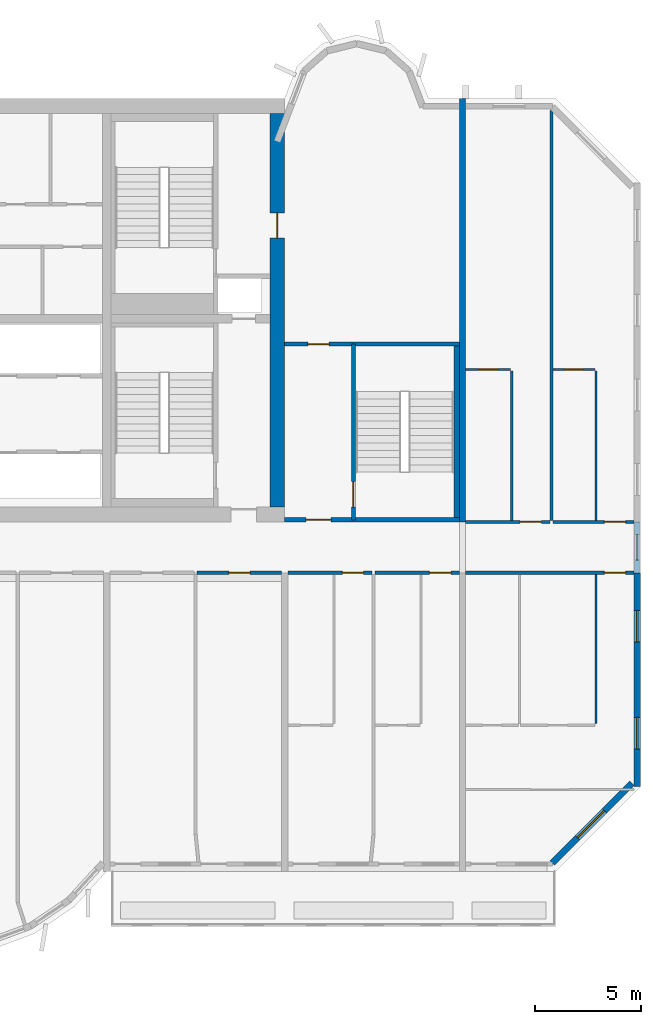
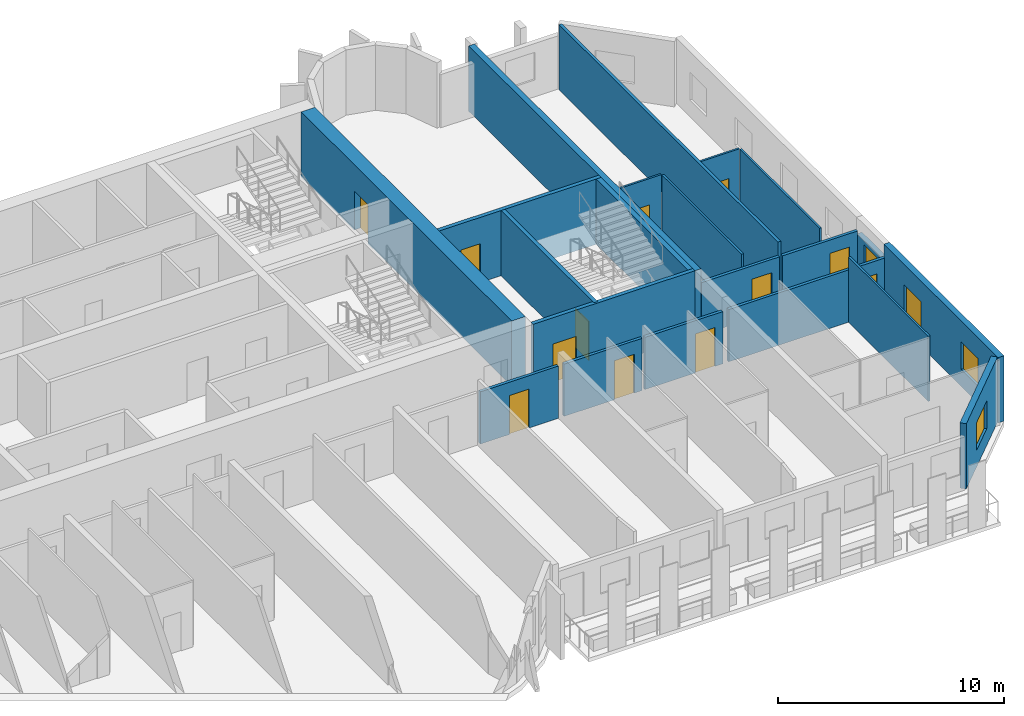
# One storey, part 9 of 13: 21 walls, 12 doors, 4 windows, 16 openings.
"""IFC4 building model written with IfcOpenShell, lengths in metres."""

import ifcopenshell
import ifcopenshell.guid

model = None  # the IFC model being written
_history = None  # IfcOwnerHistory: only IFC2X3 demands one
_inside = {}  # id of a spatial element -> (the spatial element, [elements in it])
_under = {}  # id of a project, library or spatial element -> (it, [spatial elements below it])
_declared = {}  # id of a project -> (the project, [libraries it declares])
_typed = {}  # id of a type object -> (the type object, [elements of that type])
_made_of = {}  # id of a material, layer set ... -> (it, [elements and type objects made of it])


def new_model(schema):
    """Start an empty IFC model of exactly this schema.

    Asked for "IFC4X3", IfcOpenShell would pick the latest addendum, in which some entities
    have other attributes; the version numbers below select the first issue.
    IFC2X3 requires an IfcOwnerHistory on every rooted entity: one is made here for all.
    """
    global model, _history
    if schema == "IFC4X3":
        model = ifcopenshell.file(schema_version=(4, 3, 0, 0))
    else:
        model = ifcopenshell.file(schema=schema)
    _inside.clear()
    _under.clear()
    _declared.clear()
    _typed.clear()
    _made_of.clear()
    _history = None
    if model.schema == "IFC2X3":
        org = make("IfcOrganization", Name="unknown")
        user = make(
            "IfcPersonAndOrganization",
            ThePerson=make("IfcPerson", FamilyName="unknown"),
            TheOrganization=org,
        )
        app = make(
            "IfcApplication",
            ApplicationDeveloper=org,
            Version="unknown",
            ApplicationFullName="unknown",
            ApplicationIdentifier="unknown",
        )
        _history = make(
            "IfcOwnerHistory",
            OwningUser=user,
            OwningApplication=app,
            ChangeAction="ADDED",
            CreationDate=0,
        )
    return model


def make(cls, **values):
    """One entity of the class cls with the attributes given. An attribute that is None is left unset."""
    return model.create_entity(
        cls, **{name: value for name, value in values.items() if value is not None}
    )


def rooted(cls, **values):
    """An entity with a GlobalId (a new one), such as an element, a storey or a relation."""
    return make(cls, GlobalId=ifcopenshell.guid.new(), OwnerHistory=_history, **values)


def si_unit(unit_type, name, prefix=None):
    """IfcSIUnit, for example si_unit("LENGTHUNIT", "METRE", prefix="MILLI")."""
    return make("IfcSIUnit", UnitType=unit_type, Prefix=prefix, Name=name)


def assignment(units):
    """IfcUnitAssignment: the units of a project."""
    return None if units is None else make("IfcUnitAssignment", Units=units)


def point(xyz):
    """IfcCartesianPoint."""
    return None if xyz is None else make("IfcCartesianPoint", Coordinates=xyz)


def direction(xyz):
    """IfcDirection."""
    return None if xyz is None else make("IfcDirection", DirectionRatios=xyz)


def frame(location, z_axis=None, x_axis=None):
    """IfcAxis2Placement3D, a coordinate frame: its origin and axes. An axis left out is left unset."""
    return make(
        "IfcAxis2Placement3D",
        Location=point(location),
        Axis=direction(z_axis),
        RefDirection=direction(x_axis),
    )


def frame_2d(location, x_axis=None):
    """IfcAxis2Placement2D, a coordinate frame in the plane: its origin and x axis."""
    return make(
        "IfcAxis2Placement2D", Location=point(location), RefDirection=direction(x_axis)
    )


def origin():
    """The frame at (0, 0, 0) with its axes left unset."""
    return frame((0.0, 0.0, 0.0))


def place(relative_to, where):
    """IfcLocalPlacement: puts the frame where relative to a parent placement (None: the world)."""
    return make(
        "IfcLocalPlacement", PlacementRelTo=relative_to, RelativePlacement=where
    )


def context(
    kind, dimensions, precision=None, world=None, true_north=None, identifier=None
):
    """IfcGeometricRepresentationContext, for example the 3D "Model" context."""
    return make(
        "IfcGeometricRepresentationContext",
        ContextIdentifier=identifier,
        ContextType=kind,
        CoordinateSpaceDimension=dimensions,
        Precision=precision,
        WorldCoordinateSystem=world,
        TrueNorth=true_north,
    )


def subcontext(parent, identifier, kind, view, scale=None):
    """IfcGeometricRepresentationSubContext, for example "Body" below "Model"."""
    return make(
        "IfcGeometricRepresentationSubContext",
        ContextIdentifier=identifier,
        ContextType=kind,
        ParentContext=parent,
        TargetScale=scale,
        TargetView=view,
    )


def project(units=None, contexts=None):
    """IfcProject with its units and contexts."""
    return rooted(
        "IfcProject",
        Name="project",
        RepresentationContexts=contexts,
        UnitsInContext=assignment(units),
    )


def spatial(cls, under=None, at=None, **own):
    """A site, building, storey or space (cls), placed at a placement, below another one or the project."""
    s = rooted(cls, ObjectPlacement=at, **own)
    if under is not None:
        _under.setdefault(under.id(), (under, []))[1].append(s)
    return s


def profile(cls, at=None, kind="AREA", **sizes):
    """A parametric profile (cls). Its sizes go by their IFC names, for example OverallWidth=200.0."""
    return make(cls, ProfileType=kind, Position=at, **sizes)


def rectangle(**sizes):
    """IfcRectangleProfileDef."""
    return profile("IfcRectangleProfileDef", **sizes)


def extrude(swept, where, along, depth):
    """IfcExtrudedAreaSolid: the profile swept, set in the frame where, extruded along a direction by depth."""
    return make(
        "IfcExtrudedAreaSolid",
        SweptArea=swept,
        Position=where,
        ExtrudedDirection=direction(along),
        Depth=depth,
    )


def shape(context_of_items, identifier, shape_type, items):
    """IfcShapeRepresentation: the items that make up one representation, for example the "Body"."""
    return make(
        "IfcShapeRepresentation",
        ContextOfItems=context_of_items,
        RepresentationIdentifier=identifier,
        RepresentationType=shape_type,
        Items=items,
    )


def source(mapping_origin, context_of_items, identifier, shape_type, items):
    """IfcRepresentationMap: a shape defined once, which mapped items show again and again."""
    return make(
        "IfcRepresentationMap",
        MappingOrigin=mapping_origin,
        MappedRepresentation=shape(context_of_items, identifier, shape_type, items),
    )


def transform(
    local_origin,
    x_axis=None,
    y_axis=None,
    z_axis=None,
    scale=None,
    scale2=None,
    scale3=None,
    uniform=True,
):
    """IfcCartesianTransformationOperator3D, or its non-uniform kind. x_axis, y_axis, z_axis: its Axis1, 2, 3."""
    if uniform:
        return make(
            "IfcCartesianTransformationOperator3D",
            Axis1=direction(x_axis),
            Axis2=direction(y_axis),
            LocalOrigin=point(local_origin),
            Scale=scale,
            Axis3=direction(z_axis),
        )
    return make(
        "IfcCartesianTransformationOperator3DnonUniform",
        Axis1=direction(x_axis),
        Axis2=direction(y_axis),
        LocalOrigin=point(local_origin),
        Scale=scale,
        Axis3=direction(z_axis),
        Scale2=scale2,
        Scale3=scale3,
    )


def mapped(mapping_source, mapping_target):
    """IfcMappedItem: shows the shape of a source again, moved by a transform."""
    return make(
        "IfcMappedItem", MappingSource=mapping_source, MappingTarget=mapping_target
    )


def material(Name=None, Category=None):
    """IfcMaterial."""
    return make("IfcMaterial", Name=Name, Category=Category)


def layer(
    of_material, thickness, ventilated=None, Name=None, Category=None, Priority=None
):
    """IfcMaterialLayer: one layer of a wall or slab, of a material (None: an air gap)."""
    return make(
        "IfcMaterialLayer",
        Material=of_material,
        LayerThickness=thickness,
        IsVentilated=ventilated,
        Name=Name,
        Category=Category,
        Priority=Priority,
    )


def layer_set(layers, Name=None):
    """IfcMaterialLayerSet."""
    return make("IfcMaterialLayerSet", MaterialLayers=layers, LayerSetName=Name)


def made_of(thing, what):
    """Note that an element or type object is made of a material, layer set ...; save() writes the relation."""
    if what is not None:
        _made_of.setdefault(what.id(), (what, []))[1].append(thing)
    return thing


def type_object(cls, material=None, **own):
    """A type object (cls), such as IfcWallType, which elements share."""
    return made_of(rooted(cls, **own), material)


def element(
    cls,
    number,
    at=None,
    inside=None,
    cuts=None,
    type_object=None,
    material=None,
    context=None,
    identifier="Body",
    shape_type=None,
    held_by="IfcProductDefinitionShape",
    body=None,
    shapes=None,
    **own,
):
    """One element of the class cls, such as IfcWall. Its Tag is "e" and its number.

    at: its placement. inside: the storey or other place that contains it. cuts: it is an
    opening in that element (IfcRelVoidsElement). A single representation is given by context,
    identifier, shape_type and body (its items); several are given by shapes. held_by: the class
    of the entity that holds the representations. save() writes the other relations.
    """
    e = rooted(cls, Tag="e%d" % number, ObjectPlacement=at, **own)
    if body is not None:
        shapes = [shape(context, identifier, shape_type, body)]
    if shapes is not None:
        e.Representation = make(held_by, Representations=shapes)
    if inside is not None:
        _inside.setdefault(inside.id(), (inside, []))[1].append(e)
    if cuts is not None:
        rooted(
            "IfcRelVoidsElement", RelatingBuildingElement=cuts, RelatedOpeningElement=e
        )
    if type_object is not None:
        _typed.setdefault(type_object.id(), (type_object, []))[1].append(e)
    return made_of(e, material)


def fill(opening, filler):
    """IfcRelFillsElement: the door or window that sits in an opening."""
    return rooted(
        "IfcRelFillsElement",
        RelatingOpeningElement=opening,
        RelatedBuildingElement=filler,
    )


def aggregate(whole, parts):
    """IfcRelAggregates: a whole, such as a stair, and the parts it consists of."""
    return rooted("IfcRelAggregates", RelatingObject=whole, RelatedObjects=parts)


def save(model, path):
    """Write the relations noted so far, then the file.

    IfcRelAggregates (storeys below a building ...), IfcRelContainedInSpatialStructure (elements
    in a storey), IfcRelDefinesByType, IfcRelAssociatesMaterial and IfcRelDeclares: one each for
    every whole, place, type object, material and project.
    """
    for whole, parts in _under.values():
        aggregate(whole, parts)
    for where, things in _inside.values():
        rooted(
            "IfcRelContainedInSpatialStructure",
            RelatedElements=things,
            RelatingStructure=where,
        )
    for kind, things in _typed.values():
        rooted("IfcRelDefinesByType", RelatedObjects=things, RelatingType=kind)
    for what, things in _made_of.values():
        rooted("IfcRelAssociatesMaterial", RelatedObjects=things, RelatingMaterial=what)
    for by, libraries in _declared.values():
        rooted("IfcRelDeclares", RelatingContext=by, RelatedDefinitions=libraries)
    model.write(path)


model = new_model("IFC4")

# Units and contexts
model_context = context("Model", 3, precision=1e-05, world=origin(), true_north=direction((0.0, 1.0)))
body_context = subcontext(model_context, "Body", "Model", "MODEL_VIEW")
ifc_project = project(units=[si_unit("LENGTHUNIT", "METRE"), si_unit("AREAUNIT", "SQUARE_METRE"), si_unit("VOLUMEUNIT", "CUBIC_METRE"), si_unit("PLANEANGLEUNIT", "RADIAN"), si_unit("MASSUNIT", "GRAM", prefix="KILO")], contexts=[model_context])

# Site, building, storey
site_placement = place(None, origin())
site = spatial("IfcSite", under=ifc_project, at=site_placement, CompositionType="ELEMENT")
building_placement = place(site_placement, origin())
building = spatial("IfcBuilding", under=site, at=building_placement, Name="Vanashikhar Sky Hotel", CompositionType="ELEMENT")
storey_placement = place(building_placement, frame((0.0, 0.0, 163.0)))
storey = spatial("IfcBuildingStorey", under=building, at=storey_placement, Name="L39", CompositionType="ELEMENT", Elevation=163.0)

# Wall, opening, door
ifc_material_1 = material(Name="Concrete M60", Category="concrete")
ifc_layer_1 = layer(ifc_material_1, 0.699951171875)
ifc_layer_set_1 = layer_set([ifc_layer_1], Name="RC core shell wall 700 Concrete M60")
wall_type_1 = type_object("IfcWallType", Name="RC core shell wall 700 Concrete M60", PredefinedType="SHEAR", material=ifc_layer_set_1)
shared_shape_1 = source(origin(), body_context, "Body", "SweptSolid", [
    extrude(rectangle(XDim=18.60009765625, YDim=0.699951171875, at=frame_2d((9.300048828125, 0.0))), origin(), (0.0, 0.0, 1.0), 3.52001953125),
])
wall_1_placement = place(storey_placement, frame((75.25, 22.699951171875, 0.0), z_axis=(0.0, 0.0, 1.0), x_axis=(0.0, 1.0, 0.0)))
wall_1 = element("IfcWall", 1, at=wall_1_placement, inside=storey, type_object=wall_type_1, Name="KW-L39-KE", PredefinedType="SHEAR", context=body_context, shape_type="MappedRepresentation", body=[
    mapped(shared_shape_1, transform((0.0, 0.0, 0.0), scale=1.0)),
])
shared_shape_2 = source(origin(), body_context, "Body", "SweptSolid", [
    extrude(rectangle(XDim=1.199951171875, YDim=2.10009765625, at=frame_2d((0.60009765625, 1.050048828125))), frame((0.0, 0.35986328125, 0.0), z_axis=(0.0, -1.0, 0.0), x_axis=(1.0, 0.0, 0.0)), (0.0, 0.0, 1.0), 0.719970703125),
])
opening_1_placement = place(wall_1_placement, frame((12.699951171875, 0.0, 0.0)))
opening_1 = element("IfcOpeningElement", 2, at=opening_1_placement, cuts=wall_1, Name="Opening DC-4-D", PredefinedType="OPENING", context=body_context, shape_type="MappedRepresentation", body=[
    mapped(shared_shape_2, transform((0.0, 0.0, 0.0), scale=1.0)),
])
ifc_material_2 = material(Name="Steel", Category="steel")
door_type_1 = type_object("IfcDoorType", Name="Service door 1200 FD120", OperationType="NOTDEFINED", PredefinedType="DOOR", material=ifc_material_2)
shared_shape_3 = source(origin(), body_context, "Body", "SweptSolid", [
    extrude(rectangle(XDim=1.199951171875, YDim=2.10009765625, at=frame_2d((0.60009765625, 1.050048828125))), frame((0.0, 0.02490234375, 0.0), z_axis=(0.0, -1.0, 0.0), x_axis=(1.0, 0.0, 0.0)), (0.0, 0.0, 1.0), 0.050048828125),
])
door_1_placement = place(opening_1_placement, origin())
door_1 = element("IfcDoor", 3, at=door_1_placement, inside=storey, type_object=door_type_1, Name="Service door 1200 FD120", OperationType="SINGLE_SWING_LEFT", OverallHeight=2.10009765625, OverallWidth=1.199951171875, PredefinedType="DOOR", context=body_context, shape_type="MappedRepresentation", body=[
    mapped(shared_shape_3, transform((0.0, 0.0, 0.0), scale=1.0)),
])
fill(opening_1, door_1)

# Wall, openings, windows
ifc_layer_2 = layer(ifc_material_1, 0.300048828125)
ifc_layer_set_2 = layer_set([ifc_layer_2], Name="RC shear wall 300 Concrete M60")
wall_type_2 = type_object("IfcWallType", Name="RC shear wall 300 Concrete M60", PredefinedType="SHEAR", material=ifc_layer_set_2)
shared_shape_4 = source(origin(), body_context, "Body", "SweptSolid", [
    extrude(rectangle(XDim=10.10009765625, YDim=0.300048828125, at=frame_2d((5.050048828125, 0.0))), origin(), (0.0, 0.0, 1.0), 3.52001953125),
])
wall_2_placement = place(storey_placement, frame((92.25, 9.5, 0.0), z_axis=(0.0, 0.0, 1.0), x_axis=(0.0, 1.0, 0.0)))
wall_2 = element("IfcWall", 4, at=wall_2_placement, inside=storey, type_object=wall_type_2, Name="CW-L39-XW12-1", PredefinedType="SHEAR", context=body_context, shape_type="MappedRepresentation", body=[
    mapped(shared_shape_4, transform((0.0, 0.0, 0.0), scale=1.0)),
])
shared_shape_5 = source(origin(), body_context, "Body", "SweptSolid", [
    extrude(rectangle(XDim=1.5, YDim=1.5, at=frame_2d((0.75, 0.75))), frame((0.0, 0.16015625, 0.0), z_axis=(0.0, -1.0, 0.0), x_axis=(1.0, 0.0, 0.0)), (0.0, 0.0, 1.0), 0.320068359375),
])
opening_2_placement = place(wall_2_placement, frame((1.77490234375, 0.0, 0.89990234375)))
opening_2 = element("IfcOpeningElement", 5, at=opening_2_placement, cuts=wall_2, Name="Opening WN-1", PredefinedType="OPENING", context=body_context, shape_type="MappedRepresentation", body=[
    mapped(shared_shape_5, transform((0.0, 0.0, 0.0), scale=1.0)),
])
opening_3_placement = place(wall_2_placement, frame((6.824951171875, 0.0, 0.89990234375)))
opening_3 = element("IfcOpeningElement", 6, at=opening_3_placement, cuts=wall_2, Name="Opening WN-1", PredefinedType="OPENING", context=body_context, shape_type="MappedRepresentation", body=[
    mapped(shared_shape_5, transform((0.0, 0.0, 0.0), scale=1.0)),
])
ifc_material_3 = material(Name="Glass", Category="glass")
window_type_1 = type_object("IfcWindowType", Name="Window 1500 x 1500", PartitioningType="SINGLE_PANEL", PredefinedType="WINDOW", material=ifc_material_3)
shared_shape_6 = source(origin(), body_context, "Body", "SweptSolid", [
    extrude(rectangle(XDim=1.5, YDim=1.5, at=frame_2d((0.75, 0.75))), frame((0.0, 0.030029296875, 0.0), z_axis=(0.0, -1.0, 0.0), x_axis=(1.0, 0.0, 0.0)), (0.0, 0.0, 1.0), 0.06005859375),
])
window_1_placement = place(opening_2_placement, origin())
window_1 = element("IfcWindow", 7, at=window_1_placement, inside=storey, type_object=window_type_1, Name="Window WN-1", OverallHeight=1.5, OverallWidth=1.5, PartitioningType="SINGLE_PANEL", PredefinedType="WINDOW", context=body_context, shape_type="MappedRepresentation", body=[
    mapped(shared_shape_6, transform((0.0, 0.0, 0.0), scale=1.0)),
])
fill(opening_2, window_1)
window_2_placement = place(opening_3_placement, origin())
window_2 = element("IfcWindow", 8, at=window_2_placement, inside=storey, type_object=window_type_1, Name="Window WN-1", OverallHeight=1.5, OverallWidth=1.5, PartitioningType="SINGLE_PANEL", PredefinedType="WINDOW", context=body_context, shape_type="MappedRepresentation", body=[
    mapped(shared_shape_6, transform((0.0, 0.0, 0.0), scale=1.0)),
])
fill(opening_3, window_2)

# Wall
shared_shape_7 = source(origin(), body_context, "Body", "SweptSolid", [
    extrude(rectangle(XDim=20.0, YDim=0.300048828125, at=frame_2d((10.0, 0.0))), origin(), (0.0, 0.0, 1.0), 3.52001953125),
])
wall_3_placement = place(storey_placement, frame((84.0, 22.0, 0.0), z_axis=(0.0, 0.0, 1.0), x_axis=(0.0, 1.0, 0.0)))
element("IfcWall", 9, at=wall_3_placement, inside=storey, type_object=wall_type_2, Name="CW-L39-XW11-2", PredefinedType="SHEAR", context=body_context, shape_type="MappedRepresentation", body=[
    mapped(shared_shape_7, transform((0.0, 0.0, 0.0), scale=1.0)),
])

# Wall, opening, window
ifc_material_4 = material(Name="Concrete M50", Category="concrete")
ifc_layer_3 = layer(ifc_material_4, 0.300048828125)
ifc_layer_set_3 = layer_set([ifc_layer_3], Name="Lobe wall 300")
wall_type_3 = type_object("IfcWallType", Name="Lobe wall 300", PredefinedType="SOLIDWALL", material=ifc_layer_set_3)
shared_shape_8 = source(origin(), body_context, "Body", "SweptSolid", [
    extrude(rectangle(XDim=5.32568359375, YDim=0.300048828125, at=frame_2d((2.662841796875, 0.0))), origin(), (0.0, 0.0, 1.0), 3.52001953125),
])
wall_4_placement = place(storey_placement, frame((88.234375, 5.89990234375, 0.0), z_axis=(0.0, 0.0, 1.0), x_axis=(0.707083859269, 0.707129702361, 0.0)))
wall_4 = element("IfcWall", 10, at=wall_4_placement, inside=storey, type_object=wall_type_3, Name="Corner wall", PredefinedType="SOLIDWALL", context=body_context, shape_type="MappedRepresentation", body=[
    mapped(shared_shape_8, transform((0.0, 0.0, 0.0), scale=1.0)),
])
shared_shape_9 = source(origin(), body_context, "Body", "SweptSolid", [
    extrude(rectangle(XDim=1.800048828125, YDim=1.5, at=frame_2d((0.89990234375, 0.75))), frame((0.0, 0.16015625, 0.0), z_axis=(0.0, -1.0, 0.0), x_axis=(1.0, 0.0, 0.0)), (0.0, 0.0, 1.0), 0.320068359375),
])
opening_4_placement = place(wall_4_placement, frame((1.689453125, 0.0, 0.89990234375)))
opening_4 = element("IfcOpeningElement", 11, at=opening_4_placement, cuts=wall_4, Name="Opening WN-4", PredefinedType="OPENING", context=body_context, shape_type="MappedRepresentation", body=[
    mapped(shared_shape_9, transform((0.0, 0.0, 0.0), scale=1.0)),
])
window_type_2 = type_object("IfcWindowType", Name="Corner window 1800 x 1500", PartitioningType="SINGLE_PANEL", PredefinedType="WINDOW", material=ifc_material_3)
shared_shape_10 = source(origin(), body_context, "Body", "SweptSolid", [
    extrude(rectangle(XDim=1.800048828125, YDim=1.5, at=frame_2d((0.89990234375, 0.75))), frame((0.0, 0.030029296875, 0.0), z_axis=(0.0, -1.0, 0.0), x_axis=(1.0, 0.0, 0.0)), (0.0, 0.0, 1.0), 0.06005859375),
])
window_3_placement = place(opening_4_placement, origin())
window_3 = element("IfcWindow", 12, at=window_3_placement, inside=storey, type_object=window_type_2, Name="Window WN-4", OverallHeight=1.5, OverallWidth=1.800048828125, PartitioningType="SINGLE_PANEL", PredefinedType="WINDOW", context=body_context, shape_type="MappedRepresentation", body=[
    mapped(shared_shape_10, transform((0.0, 0.0, 0.0), scale=1.0)),
])
fill(opening_4, window_3)

ifc_layer_4 = layer(ifc_material_4, 0.25)
ifc_layer_set_4 = layer_set([ifc_layer_4], Name="Rear and end board-marked wall 250")
wall_type_4 = type_object("IfcWallType", Name="Rear and end board-marked wall 250", PredefinedType="SOLIDWALL", material=ifc_layer_set_4)
shared_shape_11 = source(origin(), body_context, "Body", "SweptSolid", [
    extrude(rectangle(XDim=2.39990234375, YDim=0.25, at=frame_2d((1.199951171875, 0.0))), origin(), (0.0, 0.0, 1.0), 2.6201171875),
])
wall_5_placement = place(storey_placement, frame((92.25, 19.60009765625, 0.0), z_axis=(0.0, 0.0, 1.0), x_axis=(0.0, 1.0, 0.0)))
wall_5 = element("IfcWall", 13, at=wall_5_placement, inside=storey, type_object=wall_type_4, Name="End corridor infill wall", PredefinedType="SOLIDWALL", context=body_context, shape_type="MappedRepresentation", body=[
    mapped(shared_shape_11, transform((0.0, 0.0, 0.0), scale=1.0)),
])
shared_shape_12 = source(origin(), body_context, "Body", "SweptSolid", [
    extrude(rectangle(XDim=1.199951171875, YDim=1.5, at=frame_2d((0.60009765625, 0.75))), frame((0.0, 0.135009765625, 0.0), z_axis=(0.0, -1.0, 0.0), x_axis=(1.0, 0.0, 0.0)), (0.0, 0.0, 1.0), 0.27001953125),
])
opening_5_placement = place(wall_5_placement, frame((0.60009765625, 0.0, 0.89990234375)))
opening_5 = element("IfcOpeningElement", 14, at=opening_5_placement, cuts=wall_5, Name="Opening WN-3", PredefinedType="OPENING", context=body_context, shape_type="MappedRepresentation", body=[
    mapped(shared_shape_12, transform((0.0, 0.0, 0.0), scale=1.0)),
])
window_type_3 = type_object("IfcWindowType", Name="Corridor end window 1200 x 1500", PartitioningType="SINGLE_PANEL", PredefinedType="WINDOW", material=ifc_material_3)
shared_shape_13 = source(origin(), body_context, "Body", "SweptSolid", [
    extrude(rectangle(XDim=1.199951171875, YDim=1.5, at=frame_2d((0.60009765625, 0.75))), frame((0.0, 0.030029296875, 0.0), z_axis=(0.0, -1.0, 0.0), x_axis=(1.0, 0.0, 0.0)), (0.0, 0.0, 1.0), 0.06005859375),
])
window_4_placement = place(opening_5_placement, origin())
window_4 = element("IfcWindow", 15, at=window_4_placement, inside=storey, type_object=window_type_3, Name="Window WN-3", OverallHeight=1.5, OverallWidth=1.199951171875, PartitioningType="SINGLE_PANEL", PredefinedType="WINDOW", context=body_context, shape_type="MappedRepresentation", body=[
    mapped(shared_shape_13, transform((0.0, 0.0, 0.0), scale=1.0)),
])
fill(opening_5, window_4)

# Wall, opening, door
ifc_layer_5 = layer(ifc_material_4, 0.199951171875)
ifc_layer_set_5 = layer_set([ifc_layer_5], Name="Stair wall 200")
wall_type_5 = type_object("IfcWallType", Name="Stair wall 200", PredefinedType="SOLIDWALL", material=ifc_layer_set_5)
shared_shape_14 = source(origin(), body_context, "Body", "SweptSolid", [
    extrude(rectangle(XDim=8.2998046875, YDim=0.199951171875, at=frame_2d((4.14990234375, 0.0))), origin(), (0.0, 0.0, 1.0), 3.52001953125),
])
wall_6_placement = place(storey_placement, frame((78.85009765625, 22.10009765625, 0.0), z_axis=(0.0, 0.0, 1.0), x_axis=(0.0, 1.0, 0.0)))
wall_6 = element("IfcWall", 16, at=wall_6_placement, inside=storey, type_object=wall_type_5, Name="Stair wall 200", PredefinedType="SOLIDWALL", context=body_context, shape_type="MappedRepresentation", body=[
    mapped(shared_shape_14, transform((0.0, 0.0, 0.0), scale=1.0)),
])
shared_shape_15 = source(origin(), body_context, "Body", "SweptSolid", [
    extrude(rectangle(XDim=1.199951171875, YDim=2.10009765625, at=frame_2d((0.60009765625, 1.050048828125))), frame((0.0, 0.10986328125, 0.0), z_axis=(0.0, -1.0, 0.0), x_axis=(1.0, 0.0, 0.0)), (0.0, 0.0, 1.0), 0.219970703125),
])
opening_6_placement = place(wall_6_placement, frame((0.60009765625, 0.0, 0.0)))
opening_6 = element("IfcOpeningElement", 17, at=opening_6_placement, cuts=wall_6, Name="Opening DC-1", PredefinedType="OPENING", context=body_context, shape_type="MappedRepresentation", body=[
    mapped(shared_shape_15, transform((0.0, 0.0, 0.0), scale=1.0)),
])
door_type_2 = type_object("IfcDoorType", Name="Stair door 1200 FD120", OperationType="NOTDEFINED", PredefinedType="DOOR", material=ifc_material_2)
door_2_placement = place(opening_6_placement, origin())
door_2 = element("IfcDoor", 18, at=door_2_placement, inside=storey, type_object=door_type_2, Name="Stair door 1200 FD120", OperationType="SINGLE_SWING_RIGHT", OverallHeight=2.10009765625, OverallWidth=1.199951171875, PredefinedType="DOOR", context=body_context, shape_type="MappedRepresentation", body=[
    mapped(shared_shape_3, transform((0.0, 0.0, 0.0), scale=1.0)),
])
fill(opening_6, door_2)

shared_shape_16 = source(origin(), body_context, "Body", "SweptSolid", [
    extrude(rectangle(XDim=8.25, YDim=0.199951171875, at=frame_2d((4.125, 0.0))), origin(), (0.0, 0.0, 1.0), 3.52001953125),
])
wall_7_placement = place(storey_placement, frame((83.85009765625, 22.10009765625, 0.0), z_axis=(0.0, 0.0, 1.0), x_axis=(-1.0, 0.0, 0.0)))
wall_7 = element("IfcWall", 19, at=wall_7_placement, inside=storey, type_object=wall_type_5, Name="Stair wall 200", PredefinedType="SOLIDWALL", context=body_context, shape_type="MappedRepresentation", body=[
    mapped(shared_shape_16, transform((0.0, 0.0, 0.0), scale=1.0)),
])
opening_7_placement = place(wall_7_placement, frame((6.050048828125, 0.0, 0.0)))
opening_7 = element("IfcOpeningElement", 20, at=opening_7_placement, cuts=wall_7, Name="Opening DC-2", PredefinedType="OPENING", context=body_context, shape_type="MappedRepresentation", body=[
    mapped(shared_shape_15, transform((0.0, 0.0, 0.0), scale=1.0)),
])
door_type_3 = type_object("IfcDoorType", Name="Firefighting lobby door 1200 FD120", OperationType="NOTDEFINED", PredefinedType="DOOR", material=ifc_material_2)
door_3_placement = place(opening_7_placement, origin())
door_3 = element("IfcDoor", 21, at=door_3_placement, inside=storey, type_object=door_type_3, Name="Firefighting lobby door 1200 FD120", OperationType="SINGLE_SWING_LEFT", OverallHeight=2.10009765625, OverallWidth=1.199951171875, PredefinedType="DOOR", context=body_context, shape_type="MappedRepresentation", body=[
    mapped(shared_shape_3, transform((0.0, 0.0, 0.0), scale=1.0)),
])
fill(opening_7, door_3)

wall_8_placement = place(storey_placement, frame((83.85009765625, 30.39990234375, 0.0), z_axis=(0.0, 0.0, 1.0), x_axis=(-1.0, 0.0, 0.0)))
wall_8 = element("IfcWall", 22, at=wall_8_placement, inside=storey, type_object=wall_type_5, Name="Stair wall 200", PredefinedType="SOLIDWALL", context=body_context, shape_type="MappedRepresentation", body=[
    mapped(shared_shape_16, transform((0.0, 0.0, 0.0), scale=1.0)),
])
shared_shape_17 = source(origin(), body_context, "Body", "SweptSolid", [
    extrude(rectangle(XDim=1.0, YDim=2.10009765625, at=frame_2d((0.5, 1.050048828125))), frame((0.0, 0.10986328125, 0.0), z_axis=(0.0, -1.0, 0.0), x_axis=(1.0, 0.0, 0.0)), (0.0, 0.0, 1.0), 0.219970703125),
])
opening_8_placement = place(wall_8_placement, frame((6.14990234375, 0.0, 0.0)))
opening_8 = element("IfcOpeningElement", 23, at=opening_8_placement, cuts=wall_8, Name="Opening DC-6", PredefinedType="OPENING", context=body_context, shape_type="MappedRepresentation", body=[
    mapped(shared_shape_17, transform((0.0, 0.0, 0.0), scale=1.0)),
])
door_type_4 = type_object("IfcDoorType", Name="Pocket door 1000 FD60", OperationType="NOTDEFINED", PredefinedType="DOOR", material=ifc_material_2)
shared_shape_18 = source(origin(), body_context, "Body", "SweptSolid", [
    extrude(rectangle(XDim=1.0, YDim=2.10009765625, at=frame_2d((0.5, 1.050048828125))), frame((0.0, 0.02490234375, 0.0), z_axis=(0.0, -1.0, 0.0), x_axis=(1.0, 0.0, 0.0)), (0.0, 0.0, 1.0), 0.050048828125),
])
door_4_placement = place(opening_8_placement, origin())
door_4 = element("IfcDoor", 24, at=door_4_placement, inside=storey, type_object=door_type_4, Name="Pocket door 1000 FD60", OperationType="SINGLE_SWING_LEFT", OverallHeight=2.10009765625, OverallWidth=1.0, PredefinedType="DOOR", context=body_context, shape_type="MappedRepresentation", body=[
    mapped(shared_shape_18, transform((0.0, 0.0, 0.0), scale=1.0)),
])
fill(opening_8, door_4)

# Walls
ifc_layer_6 = layer(ifc_material_4, 0.25)
ifc_layer_set_6 = layer_set([ifc_layer_6], Name="Stair infill wall 250")
wall_type_6 = type_object("IfcWallType", Name="Stair infill wall 250", PredefinedType="SOLIDWALL", material=ifc_layer_set_6)
shared_shape_19 = source(origin(), body_context, "Body", "SweptSolid", [
    extrude(rectangle(XDim=8.10009765625, YDim=0.25, at=frame_2d((4.050048828125, 0.0))), origin(), (0.0, 0.0, 1.0), 3.52001953125),
])
wall_9_placement = place(storey_placement, frame((83.72509765625, 22.199951171875, 0.0), z_axis=(0.0, 0.0, 1.0), x_axis=(0.0, 1.0, 0.0)))
element("IfcWall", 25, at=wall_9_placement, inside=storey, type_object=wall_type_6, Name="Stair infill wall 250", PredefinedType="SOLIDWALL", context=body_context, shape_type="MappedRepresentation", body=[
    mapped(shared_shape_19, transform((0.0, 0.0, 0.0), scale=1.0)),
])
ifc_material_5 = material(Name="Gypsum plasterboard partition")
ifc_layer_7 = layer(ifc_material_5, 0.10009765625)
ifc_layer_set_7 = layer_set([ifc_layer_7], Name="Wet room partition 100")
wall_type_7 = type_object("IfcWallType", Name="Wet room partition 100", PredefinedType="PARTITIONING", material=ifc_layer_set_7)
shared_shape_20 = source(origin(), body_context, "Body", "SweptSolid", [
    extrude(rectangle(XDim=7.0498046875, YDim=0.10009765625, at=frame_2d((3.52490234375, 0.0))), origin(), (0.0, 0.0, 1.0), 3.52001953125),
])
wall_10_placement = place(storey_placement, frame((90.300048828125, 12.47509765625, 0.0), z_axis=(0.0, 0.0, 1.0), x_axis=(0.0, 1.0, 0.0)))
element("IfcWall", 26, at=wall_10_placement, inside=storey, type_object=wall_type_7, Name="W-L39-PW051", PredefinedType="PARTITIONING", context=body_context, shape_type="MappedRepresentation", body=[
    mapped(shared_shape_20, transform((0.0, 0.0, 0.0), scale=1.0)),
])
shared_shape_21 = source(origin(), body_context, "Body", "SweptSolid", [
    extrude(rectangle(XDim=7.050048828125, YDim=0.10009765625, at=frame_2d((3.52490234375, 0.0))), origin(), (0.0, 0.0, 1.0), 3.52001953125),
])
for number, where, z_axis, x_axis, name in (
    (27, (86.324951171875, 22.074951171875, 0.0), (0.0, 0.0, 1.0), (0.0, 1.0, 0.0), "W-L39-PW060"),
    (28, (90.300048828125, 22.074951171875, 0.0), (0.0, 0.0, 1.0), (0.0, 1.0, 0.0), "W-L39-PW063"),
):
    element("IfcWall", number, at=place(storey_placement, frame(where, z_axis=z_axis, x_axis=x_axis)), inside=storey, type_object=wall_type_7, Name=name, PredefinedType="PARTITIONING", context=body_context, shape_type="MappedRepresentation", body=[
        mapped(shared_shape_21, transform((0.0, 0.0, 0.0), scale=1.0)),
    ])

# Wall, opening, door
ifc_layer_8 = layer(ifc_material_5, 0.14990234375)
ifc_layer_set_8 = layer_set([ifc_layer_8], Name="Corridor and demising partition 150")
wall_type_8 = type_object("IfcWallType", Name="Corridor and demising partition 150", PredefinedType="PARTITIONING", material=ifc_layer_set_8)
shared_shape_22 = source(origin(), body_context, "Body", "SweptSolid", [
    extrude(rectangle(XDim=7.9501953125, YDim=0.14990234375, at=frame_2d((3.97509765625, 0.0))), origin(), (0.0, 0.0, 1.0), 2.820068359375),
])
wall_11_placement = place(storey_placement, frame((84.14990234375, 19.60009765625, 0.0), z_axis=(0.0, 0.0, 1.0), x_axis=(1.0, 0.0, 0.0)))
wall_11 = element("IfcWall", 29, at=wall_11_placement, inside=storey, type_object=wall_type_8, Name="W-L39-PW056", PredefinedType="PARTITIONING", context=body_context, shape_type="MappedRepresentation", body=[
    mapped(shared_shape_22, transform((0.0, 0.0, 0.0), scale=1.0)),
])
shared_shape_23 = source(origin(), body_context, "Body", "SweptSolid", [
    extrude(rectangle(XDim=1.0, YDim=2.10009765625, at=frame_2d((0.5, 1.050048828125))), frame((0.0, 0.0849609375, 0.0), z_axis=(0.0, -1.0, 0.0), x_axis=(1.0, 0.0, 0.0)), (0.0, 0.0, 1.0), 0.169921875),
])
opening_9_placement = place(wall_11_placement, frame((6.550048828125, 0.0, 0.0)))
opening_9 = element("IfcOpeningElement", 30, at=opening_9_placement, cuts=wall_11, Name="Opening D-01", PredefinedType="OPENING", context=body_context, shape_type="MappedRepresentation", body=[
    mapped(shared_shape_23, transform((0.0, 0.0, 0.0), scale=1.0)),
])
ifc_material_6 = material(Name="Timber fire door", Category="wood")
door_type_5 = type_object("IfcDoorType", Name="Guest entry door 1000 FD30S", OperationType="NOTDEFINED", PredefinedType="DOOR", material=ifc_material_6)
door_5_placement = place(opening_9_placement, origin())
door_5 = element("IfcDoor", 31, at=door_5_placement, inside=storey, type_object=door_type_5, Name="D-L39-034", OperationType="SINGLE_SWING_RIGHT", OverallHeight=2.10009765625, OverallWidth=1.0, PredefinedType="DOOR", context=body_context, shape_type="MappedRepresentation", body=[
    mapped(shared_shape_18, transform((0.0, 0.0, 0.0), scale=1.0)),
])
fill(opening_9, door_5)

# Wall
shared_shape_24 = source(origin(), body_context, "Body", "SweptSolid", [
    extrude(rectangle(XDim=19.34716796875, YDim=0.14990234375, at=frame_2d((9.673583984375, 0.0))), origin(), (0.0, 0.0, 1.0), 3.52001953125),
])
wall_12_placement = place(storey_placement, frame((88.199951171875, 22.074951171875, 0.0), z_axis=(0.0, 0.0, 1.0), x_axis=(0.0, 1.0, 0.0)))
element("IfcWall", 32, at=wall_12_placement, inside=storey, type_object=wall_type_8, Name="W-L39-PW066", PredefinedType="PARTITIONING", context=body_context, shape_type="MappedRepresentation", body=[
    mapped(shared_shape_24, transform((0.0, 0.0, 0.0), scale=1.0)),
])

# Wall, opening, door
shared_shape_25 = source(origin(), body_context, "Body", "SweptSolid", [
    extrude(rectangle(XDim=2.125, YDim=0.10009765625, at=frame_2d((1.0625, 0.0))), origin(), (0.0, 0.0, 1.0), 3.52001953125),
])
wall_13_placement = place(storey_placement, frame((84.14990234375, 29.199951171875, 0.0), z_axis=(0.0, 0.0, 1.0), x_axis=(1.0, 0.0, 0.0)))
wall_13 = element("IfcWall", 33, at=wall_13_placement, inside=storey, type_object=wall_type_7, Name="W-L39-PW061", PredefinedType="PARTITIONING", context=body_context, shape_type="MappedRepresentation", body=[
    mapped(shared_shape_25, transform((0.0, 0.0, 0.0), scale=1.0)),
])
shared_shape_26 = source(origin(), body_context, "Body", "SweptSolid", [
    extrude(rectangle(XDim=0.89990234375, YDim=2.10009765625, at=frame_2d((0.449951171875, 1.050048828125))), frame((0.0, 0.06005859375, 0.0), z_axis=(0.0, -1.0, 0.0), x_axis=(1.0, 0.0, 0.0)), (0.0, 0.0, 1.0), 0.1201171875),
])
opening_10_placement = place(wall_13_placement, frame((0.612060546875, 0.0, 0.0)))
opening_10 = element("IfcOpeningElement", 34, at=opening_10_placement, cuts=wall_13, Name="Opening D-02", PredefinedType="OPENING", context=body_context, shape_type="MappedRepresentation", body=[
    mapped(shared_shape_26, transform((0.0, 0.0, 0.0), scale=1.0)),
])
ifc_material_7 = material(Name="Timber door", Category="wood")
door_type_6 = type_object("IfcDoorType", Name="Internal door 900", OperationType="NOTDEFINED", PredefinedType="DOOR", material=ifc_material_7)
shared_shape_27 = source(origin(), body_context, "Body", "SweptSolid", [
    extrude(rectangle(XDim=0.89990234375, YDim=2.10009765625, at=frame_2d((0.449951171875, 1.050048828125))), frame((0.0, 0.02490234375, 0.0), z_axis=(0.0, -1.0, 0.0), x_axis=(1.0, 0.0, 0.0)), (0.0, 0.0, 1.0), 0.050048828125),
])
door_6_placement = place(opening_10_placement, origin())
door_6 = element("IfcDoor", 35, at=door_6_placement, inside=storey, type_object=door_type_6, Name="D-L39-036", OperationType="SINGLE_SWING_RIGHT", OverallHeight=2.10009765625, OverallWidth=0.89990234375, PredefinedType="DOOR", context=body_context, shape_type="MappedRepresentation", body=[
    mapped(shared_shape_27, transform((0.0, 0.0, 0.0), scale=1.0)),
])
fill(opening_10, door_6)

shared_shape_28 = source(origin(), body_context, "Body", "SweptSolid", [
    extrude(rectangle(XDim=1.97509765625, YDim=0.10009765625, at=frame_2d((0.987548828125, 0.0))), origin(), (0.0, 0.0, 1.0), 3.52001953125),
])
wall_14_placement = place(storey_placement, frame((88.27490234375, 29.199951171875, 0.0), z_axis=(0.0, 0.0, 1.0), x_axis=(1.0, 0.0, 0.0)))
wall_14 = element("IfcWall", 36, at=wall_14_placement, inside=storey, type_object=wall_type_7, Name="W-L39-PW064", PredefinedType="PARTITIONING", context=body_context, shape_type="MappedRepresentation", body=[
    mapped(shared_shape_28, transform((0.0, 0.0, 0.0), scale=1.0)),
])
opening_11_placement = place(wall_14_placement, frame((0.537109375, 0.0, 0.0)))
opening_11 = element("IfcOpeningElement", 37, at=opening_11_placement, cuts=wall_14, Name="Opening D-02", PredefinedType="OPENING", context=body_context, shape_type="MappedRepresentation", body=[
    mapped(shared_shape_26, transform((0.0, 0.0, 0.0), scale=1.0)),
])
door_7_placement = place(opening_11_placement, origin())
door_7 = element("IfcDoor", 38, at=door_7_placement, inside=storey, type_object=door_type_6, Name="D-L39-038", OperationType="SINGLE_SWING_RIGHT", OverallHeight=2.10009765625, OverallWidth=0.89990234375, PredefinedType="DOOR", context=body_context, shape_type="MappedRepresentation", body=[
    mapped(shared_shape_27, transform((0.0, 0.0, 0.0), scale=1.0)),
])
fill(opening_11, door_7)

shared_shape_29 = source(origin(), body_context, "Body", "SweptSolid", [
    extrude(rectangle(XDim=3.974853515625, YDim=0.14990234375, at=frame_2d((1.9873046875, 0.0))), origin(), (0.0, 0.0, 1.0), 2.820068359375),
])
wall_15_placement = place(storey_placement, frame((71.47509765625, 19.60009765625, 0.0), z_axis=(0.0, 0.0, 1.0), x_axis=(1.0, 0.0, 0.0)))
wall_15 = element("IfcWall", 39, at=wall_15_placement, inside=storey, type_object=wall_type_8, Name="W-L39-PW042", PredefinedType="PARTITIONING", context=body_context, shape_type="MappedRepresentation", body=[
    mapped(shared_shape_29, transform((0.0, 0.0, 0.0), scale=1.0)),
])
opening_12_placement = place(wall_15_placement, frame((1.488037109375, 0.0, 0.0)))
opening_12 = element("IfcOpeningElement", 40, at=opening_12_placement, cuts=wall_15, Name="Opening D-01", PredefinedType="OPENING", context=body_context, shape_type="MappedRepresentation", body=[
    mapped(shared_shape_23, transform((0.0, 0.0, 0.0), scale=1.0)),
])
door_8_placement = place(opening_12_placement, origin())
door_8 = element("IfcDoor", 41, at=door_8_placement, inside=storey, type_object=door_type_5, Name="D-L39-026", OperationType="SINGLE_SWING_RIGHT", OverallHeight=2.10009765625, OverallWidth=1.0, PredefinedType="DOOR", context=body_context, shape_type="MappedRepresentation", body=[
    mapped(shared_shape_18, transform((0.0, 0.0, 0.0), scale=1.0)),
])
fill(opening_12, door_8)

shared_shape_30 = source(origin(), body_context, "Body", "SweptSolid", [
    extrude(rectangle(XDim=3.97509765625, YDim=0.14990234375, at=frame_2d((1.987548828125, 0.0))), origin(), (0.0, 0.0, 1.0), 2.820068359375),
])
wall_16_placement = place(storey_placement, frame((75.75, 19.60009765625, 0.0), z_axis=(0.0, 0.0, 1.0), x_axis=(1.0, 0.0, 0.0)))
wall_16 = element("IfcWall", 42, at=wall_16_placement, inside=storey, type_object=wall_type_8, Name="W-L39-PW046", PredefinedType="PARTITIONING", context=body_context, shape_type="MappedRepresentation", body=[
    mapped(shared_shape_30, transform((0.0, 0.0, 0.0), scale=1.0)),
])
opening_13_placement = place(wall_16_placement, frame((2.574951171875, 0.0, 0.0)))
opening_13 = element("IfcOpeningElement", 43, at=opening_13_placement, cuts=wall_16, Name="Opening D-01", PredefinedType="OPENING", context=body_context, shape_type="MappedRepresentation", body=[
    mapped(shared_shape_23, transform((0.0, 0.0, 0.0), scale=1.0)),
])
door_9_placement = place(opening_13_placement, origin())
door_9 = element("IfcDoor", 44, at=door_9_placement, inside=storey, type_object=door_type_5, Name="D-L39-028", OperationType="SINGLE_SWING_RIGHT", OverallHeight=2.10009765625, OverallWidth=1.0, PredefinedType="DOOR", context=body_context, shape_type="MappedRepresentation", body=[
    mapped(shared_shape_18, transform((0.0, 0.0, 0.0), scale=1.0)),
])
fill(opening_13, door_9)

wall_17_placement = place(storey_placement, frame((79.875, 19.60009765625, 0.0), z_axis=(0.0, 0.0, 1.0), x_axis=(1.0, 0.0, 0.0)))
wall_17 = element("IfcWall", 45, at=wall_17_placement, inside=storey, type_object=wall_type_8, Name="W-L39-PW049", PredefinedType="PARTITIONING", context=body_context, shape_type="MappedRepresentation", body=[
    mapped(shared_shape_30, transform((0.0, 0.0, 0.0), scale=1.0)),
])
opening_14_placement = place(wall_17_placement, frame((2.574951171875, 0.0, 0.0)))
opening_14 = element("IfcOpeningElement", 46, at=opening_14_placement, cuts=wall_17, Name="Opening D-01", PredefinedType="OPENING", context=body_context, shape_type="MappedRepresentation", body=[
    mapped(shared_shape_23, transform((0.0, 0.0, 0.0), scale=1.0)),
])
door_10_placement = place(opening_14_placement, origin())
door_10 = element("IfcDoor", 47, at=door_10_placement, inside=storey, type_object=door_type_5, Name="D-L39-030", OperationType="SINGLE_SWING_RIGHT", OverallHeight=2.10009765625, OverallWidth=1.0, PredefinedType="DOOR", context=body_context, shape_type="MappedRepresentation", body=[
    mapped(shared_shape_18, transform((0.0, 0.0, 0.0), scale=1.0)),
])
fill(opening_14, door_10)

wall_18_placement = place(storey_placement, frame((84.14990234375, 22.0, 0.0), z_axis=(0.0, 0.0, 1.0), x_axis=(1.0, 0.0, 0.0)))
wall_18 = element("IfcWall", 48, at=wall_18_placement, inside=storey, type_object=wall_type_8, Name="W-L39-PW062", PredefinedType="PARTITIONING", context=body_context, shape_type="MappedRepresentation", body=[
    mapped(shared_shape_30, transform((0.0, 0.0, 0.0), scale=1.0)),
])
opening_15_placement = place(wall_18_placement, frame((2.574951171875, 0.0, 0.0)))
opening_15 = element("IfcOpeningElement", 49, at=opening_15_placement, cuts=wall_18, Name="Opening D-01", PredefinedType="OPENING", context=body_context, shape_type="MappedRepresentation", body=[
    mapped(shared_shape_23, transform((0.0, 0.0, 0.0), scale=1.0)),
])
door_11_placement = place(opening_15_placement, origin())
door_11 = element("IfcDoor", 50, at=door_11_placement, inside=storey, type_object=door_type_5, Name="D-L39-037", OperationType="SINGLE_SWING_RIGHT", OverallHeight=2.10009765625, OverallWidth=1.0, PredefinedType="DOOR", context=body_context, shape_type="MappedRepresentation", body=[
    mapped(shared_shape_18, transform((0.0, 0.0, 0.0), scale=1.0)),
])
fill(opening_15, door_11)

shared_shape_31 = source(origin(), body_context, "Body", "SweptSolid", [
    extrude(rectangle(XDim=3.8251953125, YDim=0.14990234375, at=frame_2d((1.91259765625, 0.0))), origin(), (0.0, 0.0, 1.0), 2.820068359375),
])
wall_19_placement = place(storey_placement, frame((88.27490234375, 22.0, 0.0), z_axis=(0.0, 0.0, 1.0), x_axis=(1.0, 0.0, 0.0)))
wall_19 = element("IfcWall", 51, at=wall_19_placement, inside=storey, type_object=wall_type_8, Name="W-L39-PW065", PredefinedType="PARTITIONING", context=body_context, shape_type="MappedRepresentation", body=[
    mapped(shared_shape_31, transform((0.0, 0.0, 0.0), scale=1.0)),
])
opening_16_placement = place(wall_19_placement, frame((2.425048828125, 0.0, 0.0)))
opening_16 = element("IfcOpeningElement", 52, at=opening_16_placement, cuts=wall_19, Name="Opening D-01", PredefinedType="OPENING", context=body_context, shape_type="MappedRepresentation", body=[
    mapped(shared_shape_23, transform((0.0, 0.0, 0.0), scale=1.0)),
])
door_12_placement = place(opening_16_placement, origin())
door_12 = element("IfcDoor", 53, at=door_12_placement, inside=storey, type_object=door_type_5, Name="D-L39-039", OperationType="SINGLE_SWING_RIGHT", OverallHeight=2.10009765625, OverallWidth=1.0, PredefinedType="DOOR", context=body_context, shape_type="MappedRepresentation", body=[
    mapped(shared_shape_18, transform((0.0, 0.0, 0.0), scale=1.0)),
])
fill(opening_16, door_12)

save(model, "model.ifc")
